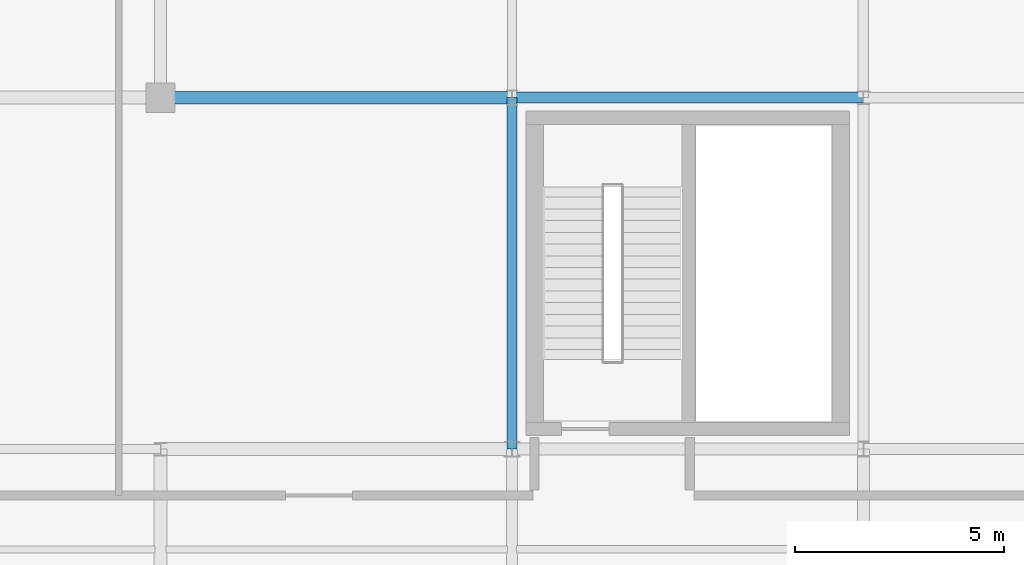
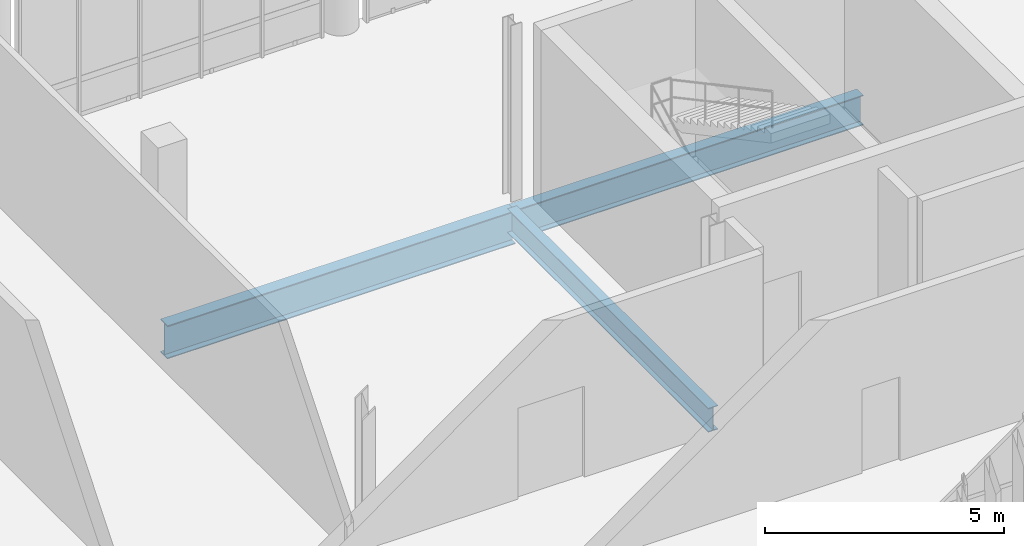
# One storey, part 29 of 68: 3 beams.
"""IFC4 building model written with IfcOpenShell, lengths in metres."""

from ifc_helpers import new_model, si_unit, direction, frame, origin_with_axes, origin_2d_with_axis, place, context, subcontext, project, spatial, i_section, extrude, material, material_profile, profile_set, type_object, element, save


model = new_model("IFC4")

# Units and contexts
model_context = context("Model", 3, precision=1e-05, world=origin_with_axes(), true_north=direction((0.0, 1.0)))
body_context = subcontext(model_context, "Body", "Model", "MODEL_VIEW")
ifc_project = project(units=[si_unit("LENGTHUNIT", "METRE"), si_unit("AREAUNIT", "SQUARE_METRE"), si_unit("VOLUMEUNIT", "CUBIC_METRE"), si_unit("PLANEANGLEUNIT", "RADIAN"), si_unit("MASSUNIT", "GRAM", prefix="KILO"), si_unit("THERMODYNAMICTEMPERATUREUNIT", "KELVIN")], contexts=[model_context])

# Site, building, storey
site_placement = place(None, origin_with_axes())
site = spatial("IfcSite", under=ifc_project, at=site_placement, CompositionType="ELEMENT")
building_placement = place(site_placement, origin_with_axes())
building = spatial("IfcBuilding", under=site, at=building_placement, Name="Montbau Bow Law Courts", CompositionType="ELEMENT")
storey_placement = place(building_placement, frame((0.0, 0.0, 20.4), z_axis=(0.0, 0.0, 1.0), x_axis=(1.0, 0.0, 0.0)))
storey = spatial("IfcBuildingStorey", under=building, at=storey_placement, Name="L04", CompositionType="ELEMENT", Elevation=20.4)

# Beams
ifc_material = material(Name="Steel CSA G40.21 Grade 350W (350 MPa)", Category="steel")
ifc_material_profile_1 = material_profile(ifc_material, i_section(OverallWidth=0.293, OverallDepth=0.846, WebThickness=0.0154, FlangeThickness=0.0244, at=origin_2d_with_axis()), Name="W840X210", Category="Main", Priority=0)
ifc_profile_set_1 = profile_set([ifc_material_profile_1], Name="Steel CSA G40.21 Grade 350W (350 MPa)")
beam_type_1 = type_object("IfcBeamType", Name="B-FLR-02", PredefinedType="BEAM", material=ifc_profile_set_1)
beam_1_placement = place(None, frame((72.0, 54.6, 19.697), z_axis=(1.0, 0.0, 0.0), x_axis=(0.0, 1.0, 0.0)))
element("IfcBeam", 1, at=beam_1_placement, inside=storey, type_object=beam_type_1, Name="BM-L04-S0930:bm2_0933", PredefinedType="BEAM", context=body_context, shape_type="SweptSolid", body=[
    extrude(i_section(OverallWidth=0.293, OverallDepth=0.846, WebThickness=0.0154, FlangeThickness=0.0244, at=origin_2d_with_axis()), origin_with_axes(), (0.0, 0.0, 1.0), 8.4),
])
ifc_material_profile_2 = material_profile(ifc_material, i_section(OverallWidth=0.267, OverallDepth=0.766, WebThickness=0.0149, FlangeThickness=0.0236, at=origin_2d_with_axis()), Name="W760X185", Category="Main", Priority=0)
ifc_profile_set_2 = profile_set([ifc_material_profile_2], Name="Steel CSA G40.21 Grade 350W (350 MPa)")
beam_type_2 = type_object("IfcBeamType", Name="B-FLR-03", PredefinedType="BEAM", material=ifc_profile_set_2)
beam_2_placement = place(None, frame((80.4, 54.6, 19.737), z_axis=(1.0, 0.0, 0.0), x_axis=(0.0, 1.0, 0.0)))
element("IfcBeam", 2, at=beam_2_placement, inside=storey, type_object=beam_type_2, Name="BM-L04-S0931:bm2_0934", PredefinedType="BEAM", context=body_context, shape_type="SweptSolid", body=[
    extrude(i_section(OverallWidth=0.267, OverallDepth=0.766, WebThickness=0.0149, FlangeThickness=0.0236, at=origin_2d_with_axis()), origin_with_axes(), (0.0, 0.0, 1.0), 8.4),
])
ifc_material_profile_3 = material_profile(ifc_material, i_section(OverallWidth=0.229, OverallDepth=0.612, WebThickness=0.0119, FlangeThickness=0.0196, at=origin_2d_with_axis()), Name="W610X125", Category="Main", Priority=0)
ifc_profile_set_3 = profile_set([ifc_material_profile_3], Name="Steel CSA G40.21 Grade 350W (350 MPa)")
beam_type_3 = type_object("IfcBeamType", Name="B-FLR-05", PredefinedType="BEAM", material=ifc_profile_set_3)
beam_3_placement = place(None, frame((80.4, 46.2, 19.814), z_axis=(0.0, 1.0, 0.0), x_axis=(-1.0, 0.0, 0.0)))
element("IfcBeam", 3, at=beam_3_placement, inside=storey, type_object=beam_type_3, Name="BM-L04-S0949:bm2_0952", PredefinedType="BEAM", context=body_context, shape_type="SweptSolid", body=[
    extrude(i_section(OverallWidth=0.229, OverallDepth=0.612, WebThickness=0.0119, FlangeThickness=0.0196, at=origin_2d_with_axis()), origin_with_axes(), (0.0, 0.0, 1.0), 8.4),
])

save(model, "model.ifc")
